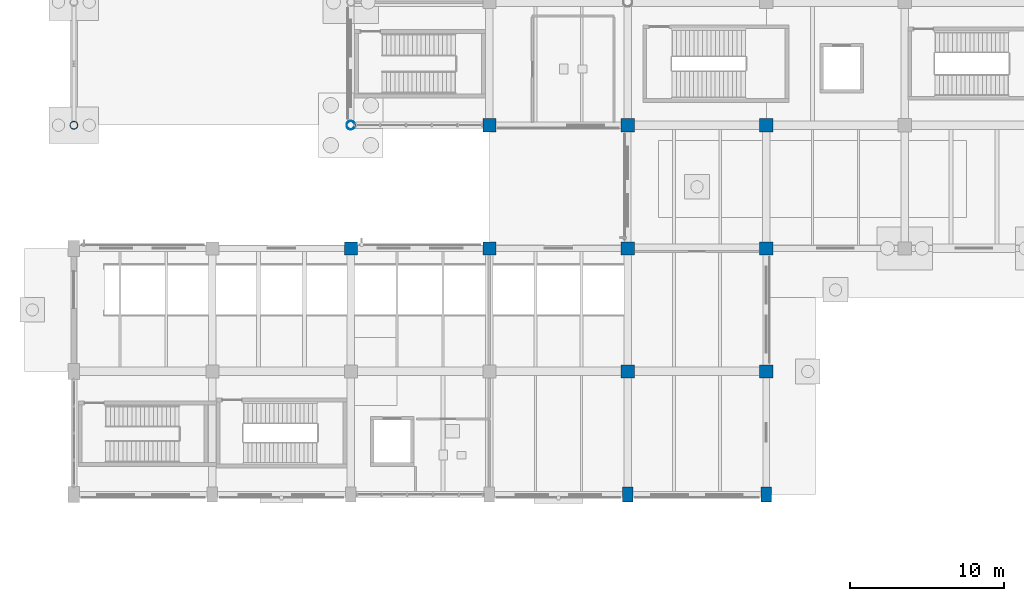
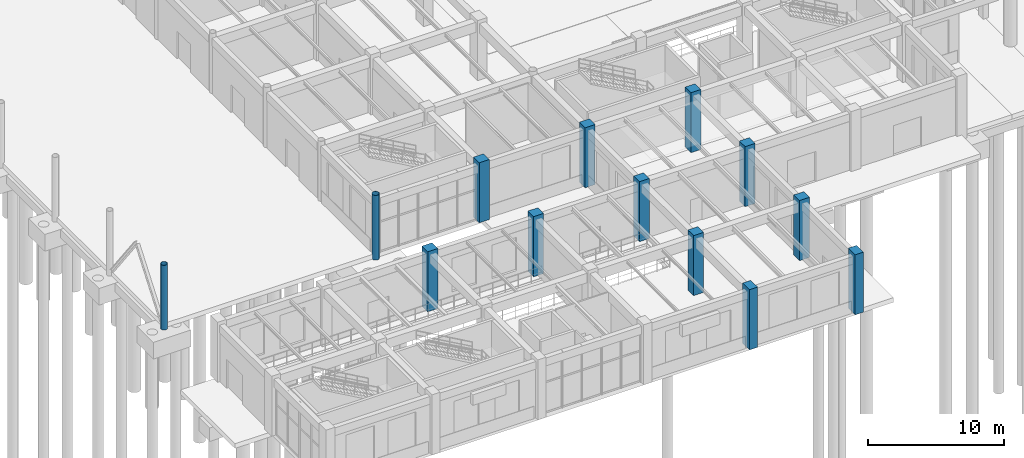
# One storey, part 6 of 121: 13 columns.
"""IFC4 building model written with IfcOpenShell, lengths in metres."""

from ifc_helpers import new_model, si_unit, derived_unit, direction, frame, origin, origin_2d, place, context, subcontext, project, spatial, rectangle, hollow_circle, extrude, material, material_profile, profile_set, type_object, element, save


model = new_model("IFC4")

# Units and contexts
model_context = context("Model", 3, precision=1e-05, world=origin(), true_north=direction((0.0, 1.0)))
body_context = subcontext(model_context, "Body", "Model", "MODEL_VIEW")
ifc_project = project(units=[si_unit("LENGTHUNIT", "METRE"), si_unit("AREAUNIT", "SQUARE_METRE"), si_unit("VOLUMEUNIT", "CUBIC_METRE"), si_unit("PLANEANGLEUNIT", "RADIAN"), si_unit("MASSUNIT", "GRAM", prefix="KILO"), derived_unit("THERMALTRANSMITTANCEUNIT", [(si_unit("MASSUNIT", "GRAM", prefix="KILO"), 1), (si_unit("TIMEUNIT", "SECOND"), -3), (si_unit("THERMODYNAMICTEMPERATUREUNIT", "KELVIN"), -1)])], contexts=[model_context])

# Site, building, storey
site_placement = place(None, origin())
site = spatial("IfcSite", under=ifc_project, at=site_placement, CompositionType="ELEMENT")
building_placement = place(site_placement, origin())
building = spatial("IfcBuilding", under=site, at=building_placement, Name="Zhenchuan Archway Interchange", CompositionType="ELEMENT")
storey_placement = place(building_placement, origin())
storey = spatial("IfcBuildingStorey", under=building, at=storey_placement, Name="L00", CompositionType="ELEMENT", Elevation=0.0)

# Columns
ifc_material_1 = material(Name="Concrete C50", Category="concrete")
ifc_material_profile_1 = material_profile(ifc_material_1, rectangle(XDim=0.699951171875, YDim=1.0, at=origin_2d()), Name="RC 700x1000")
ifc_profile_set_1 = profile_set([ifc_material_profile_1], Name="Concrete C50")
column_type_1 = type_object("IfcColumnType", Name="COL_RC_700x1000", PredefinedType="COLUMN", material=ifc_profile_set_1)
for number, where, z_axis, x_axis, name in (
    (1, (36.0, 0.0, 0.0), (0.0, 0.0, 1.0), (1.0, 0.0, 0.0), "Column 5/A (L00)"),
    (2, (45.0, 0.0, 0.0), (0.0, 0.0, 1.0), (1.0, 0.0, 0.0), "Column 6/A (L00)"),
):
    element("IfcColumn", number, at=place(storey_placement, frame(where, z_axis=z_axis, x_axis=x_axis)), inside=storey, type_object=column_type_1, Name=name, PredefinedType="COLUMN", context=body_context, shape_type="SweptSolid", body=[
        extrude(rectangle(XDim=0.699951171875, YDim=1.0, at=origin_2d()), origin(), (0.0, 0.0, 1.0), 5.39990234375),
    ])
ifc_material_2 = material(Name="Concrete C40", Category="concrete")
ifc_material_profile_2 = material_profile(ifc_material_2, rectangle(XDim=0.85009765625, YDim=0.85009765625, at=origin_2d()), Name="RC 850x850")
ifc_profile_set_2 = profile_set([ifc_material_profile_2], Name="Concrete C40")
column_type_2 = type_object("IfcColumnType", Name="COL_RC_850", PredefinedType="COLUMN", material=ifc_profile_set_2)
for number, where, z_axis, x_axis, name in (
    (3, (18.0, 16.0, 0.0), (0.0, 0.0, 1.0), (1.0, 0.0, 0.0), "Column 3/C (L00)"),
    (4, (27.0, 16.0, 0.0), (0.0, 0.0, 1.0), (1.0, 0.0, 0.0), "Column 4/C (L00)"),
    (5, (27.0, 24.0, 0.0), (0.0, 0.0, 1.0), (1.0, 0.0, 0.0), "Column 4/D (L00)"),
    (6, (36.0, 8.0, 0.0), (0.0, 0.0, 1.0), (1.0, 0.0, 0.0), "Column 5/B (L00)"),
    (7, (36.0, 16.0, 0.0), (0.0, 0.0, 1.0), (1.0, 0.0, 0.0), "Column 5/C (L00)"),
    (8, (36.0, 24.0, 0.0), (0.0, 0.0, 1.0), (1.0, 0.0, 0.0), "Column 5/D (L00)"),
    (9, (45.0, 8.0, 0.0), (0.0, 0.0, 1.0), (1.0, 0.0, 0.0), "Column 6/B (L00)"),
    (10, (45.0, 16.0, 0.0), (0.0, 0.0, 1.0), (1.0, 0.0, 0.0), "Column 6/C (L00)"),
    (11, (45.0, 24.0, 0.0), (0.0, 0.0, 1.0), (1.0, 0.0, 0.0), "Column 6/D (L00)"),
):
    element("IfcColumn", number, at=place(storey_placement, frame(where, z_axis=z_axis, x_axis=x_axis)), inside=storey, type_object=column_type_2, Name=name, PredefinedType="COLUMN", context=body_context, shape_type="SweptSolid", body=[
        extrude(rectangle(XDim=0.85009765625, YDim=0.85009765625, at=origin_2d()), origin(), (0.0, 0.0, 1.0), 5.39990234375),
    ])
ifc_material_3 = material(Name="Steel Q390", Category="steel")
ifc_material_profile_3 = material_profile(ifc_material_3, hollow_circle(Radius=0.25390625, WallThickness=0.01611328125, at=origin_2d()), Name="CHS 508x16")
ifc_profile_set_3 = profile_set([ifc_material_profile_3], Name="Steel Q390")
column_type_3 = type_object("IfcColumnType", Name="COL_STL_CHS508", PredefinedType="COLUMN", material=ifc_profile_set_3)
column_1_placement = place(storey_placement, frame((0.0, 24.0, -0.419921875), z_axis=(0.0, 0.0, 1.0), x_axis=(1.0, 0.0, 0.0)))
element("IfcColumn", 12, at=column_1_placement, inside=storey, type_object=column_type_3, Name="Column 1/D (L00)", PredefinedType="COLUMN", context=body_context, shape_type="SweptSolid", body=[
    extrude(hollow_circle(Radius=0.25390625, WallThickness=0.01611328125, at=origin_2d()), origin(), (0.0, 0.0, 1.0), 5.81982421875),
])
ifc_material_profile_4 = material_profile(ifc_material_3, hollow_circle(Radius=0.279541015625, WallThickness=0.01806640625, at=origin_2d()), Name="CHS 559x18")
ifc_profile_set_4 = profile_set([ifc_material_profile_4], Name="Steel Q390")
column_type_4 = type_object("IfcColumnType", Name="COL_STL_CHS559", PredefinedType="COLUMN", material=ifc_profile_set_4)
column_2_placement = place(storey_placement, frame((18.0, 24.0, -0.419921875), z_axis=(0.0, 0.0, 1.0), x_axis=(1.0, 0.0, 0.0)))
element("IfcColumn", 13, at=column_2_placement, inside=storey, type_object=column_type_4, Name="Column 3/D (L00)", PredefinedType="COLUMN", context=body_context, shape_type="SweptSolid", body=[
    extrude(hollow_circle(Radius=0.279541015625, WallThickness=0.01806640625, at=origin_2d()), origin(), (0.0, 0.0, 1.0), 5.81982421875),
])

save(model, "model.ifc")
